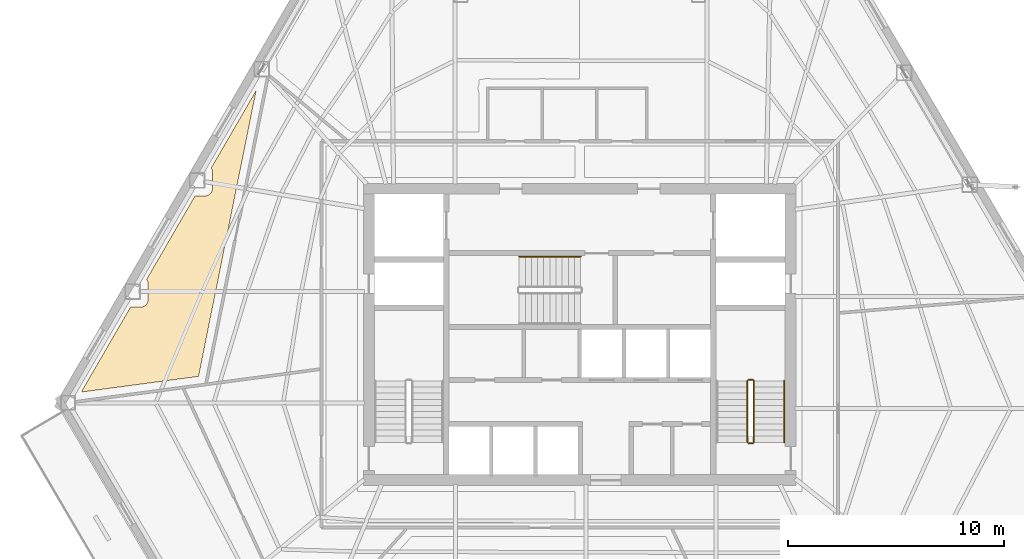
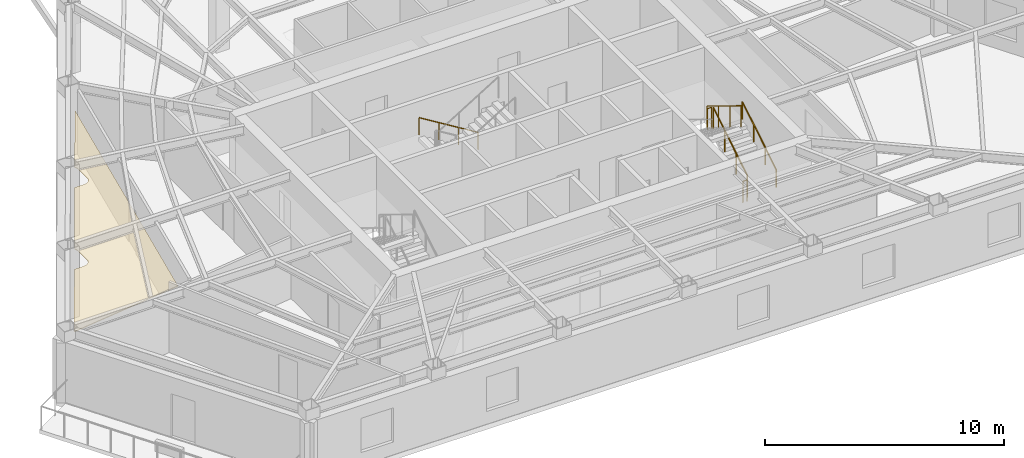
# One storey, part 12 of 13: 6 railings, 1 covering.
"""IFC4 building model written with IfcOpenShell, lengths in metres."""

from ifc_helpers import new_model, si_unit, direction, frame, origin, origin_2d, place, context, subcontext, project, spatial, polyline, circle, outline, extrude, material, layer, layer_set, type_object, element, save


model = new_model("IFC4")

# Units and contexts
model_context = context("Model", 3, precision=1e-05, world=origin(), true_north=direction((0.0, 1.0)))
body_context = subcontext(model_context, "Body", "Model", "MODEL_VIEW")
ifc_project = project(units=[si_unit("LENGTHUNIT", "METRE"), si_unit("AREAUNIT", "SQUARE_METRE"), si_unit("VOLUMEUNIT", "CUBIC_METRE"), si_unit("PLANEANGLEUNIT", "RADIAN"), si_unit("MASSUNIT", "GRAM", prefix="KILO")], contexts=[model_context])

# Site, building, storey
site_placement = place(None, origin())
site = spatial("IfcSite", under=ifc_project, at=site_placement, CompositionType="ELEMENT")
building_placement = place(site_placement, origin())
building = spatial("IfcBuilding", under=site, at=building_placement, Name="Kavelnor Concourse Tower", CompositionType="ELEMENT")
storey_placement = place(building_placement, frame((0.0, 0.0, 124.0)))
storey = spatial("IfcBuildingStorey", under=building, at=storey_placement, Name="L31", CompositionType="ELEMENT", Elevation=124.0)

# Covering
ifc_material_1 = material(Name="Mineral fibre acoustic ceiling tile")
ifc_layer = layer(ifc_material_1, 0.0400390625, Name="Mineral fibre acoustic ceiling tile")
ifc_layer_set = layer_set([ifc_layer], Name="Mineral fibre acoustic ceiling tile")
covering_type = type_object("IfcCoveringType", Name="COV-CEILING-ACOUSTIC", PredefinedType="CEILING", material=ifc_layer_set)
covering_placement = place(storey_placement, frame((0.0, 0.0, 2.75)))
element("IfcCovering", 1, at=covering_placement, inside=storey, type_object=covering_type, Name="L31 Suspended Acoustic Ceiling", PredefinedType="CEILING", context=body_context, shape_type="SweptSolid", body=[
    extrude(outline(polyline([(14.947509765625, 13.439208984375), (14.929443359375, 13.469482421875), (14.927978515625, 13.4716796875), (17.18505859375, 17.363525390625), (17.647216796875, 17.363525390625), (17.67431640625, 17.36474609375), (17.709228515625, 17.3701171875), (17.74365234375, 17.378662109375), (17.77685546875, 17.390380859375), (17.808837890625, 17.405517578125), (17.839111328125, 17.423828125), (17.86767578125, 17.44482421875), (17.893798828125, 17.46875), (17.91748046875, 17.494873046875), (17.938720703125, 17.523193359375), (17.956787109375, 17.5537109375), (17.971923828125, 17.585693359375), (17.98388671875, 17.618896484375), (17.992431640625, 17.6533203125), (17.997802734375, 17.688232421875), (17.9990234375, 17.715087890625), (17.9990234375, 18.451904296875), (17.997802734375, 18.478759765625), (17.992431640625, 18.513916015625), (17.98388671875, 18.548095703125), (17.971923828125, 18.581298828125), (17.956787109375, 18.61328125), (17.938720703125, 18.643798828125), (17.9326171875, 18.652099609375), (20.174560546875, 22.517578125), (20.63671875, 22.517578125), (20.663818359375, 22.518798828125), (20.69873046875, 22.52392578125), (20.73291015625, 22.53271484375), (20.766357421875, 22.54443359375), (20.79833984375, 22.5595703125), (20.82861328125, 22.577880859375), (20.85693359375, 22.598876953125), (20.88330078125, 22.622802734375), (20.906982421875, 22.64892578125), (20.927978515625, 22.67724609375), (20.9462890625, 22.70751953125), (20.96142578125, 22.739501953125), (20.973388671875, 22.77294921875), (20.98193359375, 22.80712890625), (20.987060546875, 22.84228515625), (20.98828125, 22.869140625), (20.98828125, 23.605712890625), (20.987060546875, 23.6328125), (20.98193359375, 23.667724609375), (20.973388671875, 23.7021484375), (20.96142578125, 23.7353515625), (20.9462890625, 23.767333984375), (20.927978515625, 23.797607421875), (20.921875, 23.80615234375), (23.00341796875, 27.39501953125), (20.336181640625, 14.15673828125), (14.948974609375, 13.436279296875), (14.947509765625, 13.439208984375)])), origin(), (0.0, 0.0, 1.0), 0.0400390625),
])

# Railings
ifc_material_2 = material(Name="Steel Grade 350", Category="steel")
railing_type_1 = type_object("IfcRailingType", Name="RLG-GUARD-1100", PredefinedType="GUARDRAIL", material=ifc_material_2)
railing_1_placement = place(storey_placement, frame((46.070068359375, 11.10009765625, 0.175048828125)))
element("IfcRailing", 2, at=railing_1_placement, inside=storey, type_object=railing_type_1, Name="L31 ST2 stair guard 1", PredefinedType="GUARDRAIL", context=body_context, shape_type="SweptSolid", body=[
    extrude(circle(Radius=0.02392578125, at=origin_2d()), frame((0.0, 0.0, 1.076171875), z_axis=(0.0, 0.852159232446, 0.523282564737), x_axis=(-1.0, 0.0, 0.0)), (0.0, 0.0, 1.0), 3.34423828125),
    extrude(circle(Radius=0.02099609375, at=origin_2d()), origin(), (0.0, 0.0, 1.0), 1.052001953125),
    extrude(circle(Radius=0.02099609375, at=origin_2d()), frame((0.0, 0.949951171875, 0.583251953125)), (0.0, 0.0, 1.0), 1.052001953125),
    extrude(circle(Radius=0.02099609375, at=origin_2d()), frame((0.0, 1.89990234375, 1.166748046875)), (0.0, 0.0, 1.0), 1.052001953125),
    extrude(circle(Radius=0.02099609375, at=origin_2d()), frame((0.0, 2.849853515625, 1.75)), (0.0, 0.0, 1.0), 1.052001953125),
])
railing_2_placement = place(storey_placement, frame((46.02001953125, 14.0, 1.925048828125)))
element("IfcRailing", 3, at=railing_2_placement, inside=storey, type_object=railing_type_1, Name="L31 ST2 stair guard 2", PredefinedType="GUARDRAIL", context=body_context, shape_type="SweptSolid", body=[
    extrude(circle(Radius=0.02392578125, at=origin_2d()), frame((0.0, 0.0, 1.076171875), z_axis=(-1.0, 0.0, 0.0), x_axis=(0.0, -1.0, 0.0)), (0.0, 0.0, 1.0), 0.199951171875),
    extrude(circle(Radius=0.02099609375, at=origin_2d()), origin(), (0.0, 0.0, 1.0), 1.052001953125),
    extrude(circle(Radius=0.02099609375, at=origin_2d()), frame((-0.199951171875, 0.0, 0.0)), (0.0, 0.0, 1.0), 1.052001953125),
])
railing_3_placement = place(storey_placement, frame((45.77001953125, 13.949951171875, 2.10009765625)))
element("IfcRailing", 4, at=railing_3_placement, inside=storey, type_object=railing_type_1, Name="L31 ST2 stair guard 3", PredefinedType="GUARDRAIL", context=body_context, shape_type="SweptSolid", body=[
    extrude(circle(Radius=0.02392578125, at=origin_2d()), frame((0.0, 0.0, 1.076171875), z_axis=(0.0, -0.852159232446, 0.523282564737), x_axis=(1.0, 0.0, 0.0)), (0.0, 0.0, 1.0), 3.34423828125),
    extrude(circle(Radius=0.02099609375, at=origin_2d()), origin(), (0.0, 0.0, 1.0), 1.052001953125),
    extrude(circle(Radius=0.02099609375, at=origin_2d()), frame((0.0, -0.949951171875, 0.583251953125)), (0.0, 0.0, 1.0), 1.052001953125),
    extrude(circle(Radius=0.02099609375, at=origin_2d()), frame((0.0, -1.89990234375, 1.166748046875)), (0.0, 0.0, 1.0), 1.052001953125),
    extrude(circle(Radius=0.02099609375, at=origin_2d()), frame((0.0, -2.849853515625, 1.75)), (0.0, 0.0, 1.0), 1.052001953125),
])
railing_4_placement = place(storey_placement, frame((46.02001953125, 11.050048828125, 0.0)))
element("IfcRailing", 5, at=railing_4_placement, inside=storey, type_object=railing_type_1, Name="L31 ST2 stair guard 4", PredefinedType="GUARDRAIL", context=body_context, shape_type="SweptSolid", body=[
    extrude(circle(Radius=0.02392578125, at=origin_2d()), frame((0.0, 0.0, 1.076171875), z_axis=(-1.0, 0.0, 0.0), x_axis=(0.0, -1.0, 0.0)), (0.0, 0.0, 1.0), 0.199951171875),
    extrude(circle(Radius=0.02099609375, at=origin_2d()), origin(), (0.0, 0.0, 1.0), 1.052001953125),
    extrude(circle(Radius=0.02099609375, at=origin_2d()), frame((-0.199951171875, 0.0, 0.0)), (0.0, 0.0, 1.0), 1.052001953125),
])
railing_type_2 = type_object("IfcRailingType", Name="RLG-HANDRAIL-900", PredefinedType="HANDRAIL", material=ifc_material_2)
railing_5_placement = place(storey_placement, frame((47.469970703125, 11.10009765625, 0.175048828125)))
element("IfcRailing", 6, at=railing_5_placement, inside=storey, type_object=railing_type_2, Name="L31 ST2 stair handrail 1", PredefinedType="HANDRAIL", context=body_context, shape_type="SweptSolid", body=[
    extrude(circle(Radius=0.02392578125, at=origin_2d()), frame((0.0, 0.0, 0.8759765625), z_axis=(0.0, 0.852159232446, 0.523282564737), x_axis=(-1.0, 0.0, 0.0)), (0.0, 0.0, 1.0), 3.34423828125),
    extrude(circle(Radius=0.02099609375, at=origin_2d()), origin(), (0.0, 0.0, 1.0), 0.851806640625),
    extrude(circle(Radius=0.02099609375, at=origin_2d()), frame((0.0, 0.949951171875, 0.583251953125)), (0.0, 0.0, 1.0), 0.851806640625),
    extrude(circle(Radius=0.02099609375, at=origin_2d()), frame((0.0, 1.89990234375, 1.166748046875)), (0.0, 0.0, 1.0), 0.851806640625),
    extrude(circle(Radius=0.02099609375, at=origin_2d()), frame((0.0, 2.849853515625, 1.75)), (0.0, 0.0, 1.0), 0.851806640625),
])
railing_6_placement = place(storey_placement, frame((38.0400390625, 19.7099609375, 0.175048828125)))
element("IfcRailing", 7, at=railing_6_placement, inside=storey, type_object=railing_type_2, Name="L31 ST3 stair handrail 1", PredefinedType="HANDRAIL", context=body_context, shape_type="SweptSolid", body=[
    extrude(circle(Radius=0.02392578125, at=origin_2d()), frame((0.0, 0.0, 0.8759765625), z_axis=(-0.852179220489, 0.0, 0.52325001306), x_axis=(0.0, -1.0, 0.0)), (0.0, 0.0, 1.0), 3.344482421875),
    extrude(circle(Radius=0.02099609375, at=origin_2d()), origin(), (0.0, 0.0, 1.0), 0.851806640625),
    extrude(circle(Radius=0.02099609375, at=origin_2d()), frame((-0.949951171875, 0.0, 0.583251953125)), (0.0, 0.0, 1.0), 0.851806640625),
    extrude(circle(Radius=0.02099609375, at=origin_2d()), frame((-1.900146484375, 0.0, 1.166748046875)), (0.0, 0.0, 1.0), 0.851806640625),
    extrude(circle(Radius=0.02099609375, at=origin_2d()), frame((-2.85009765625, 0.0, 1.75)), (0.0, 0.0, 1.0), 0.851806640625),
])

save(model, "model.ifc")
